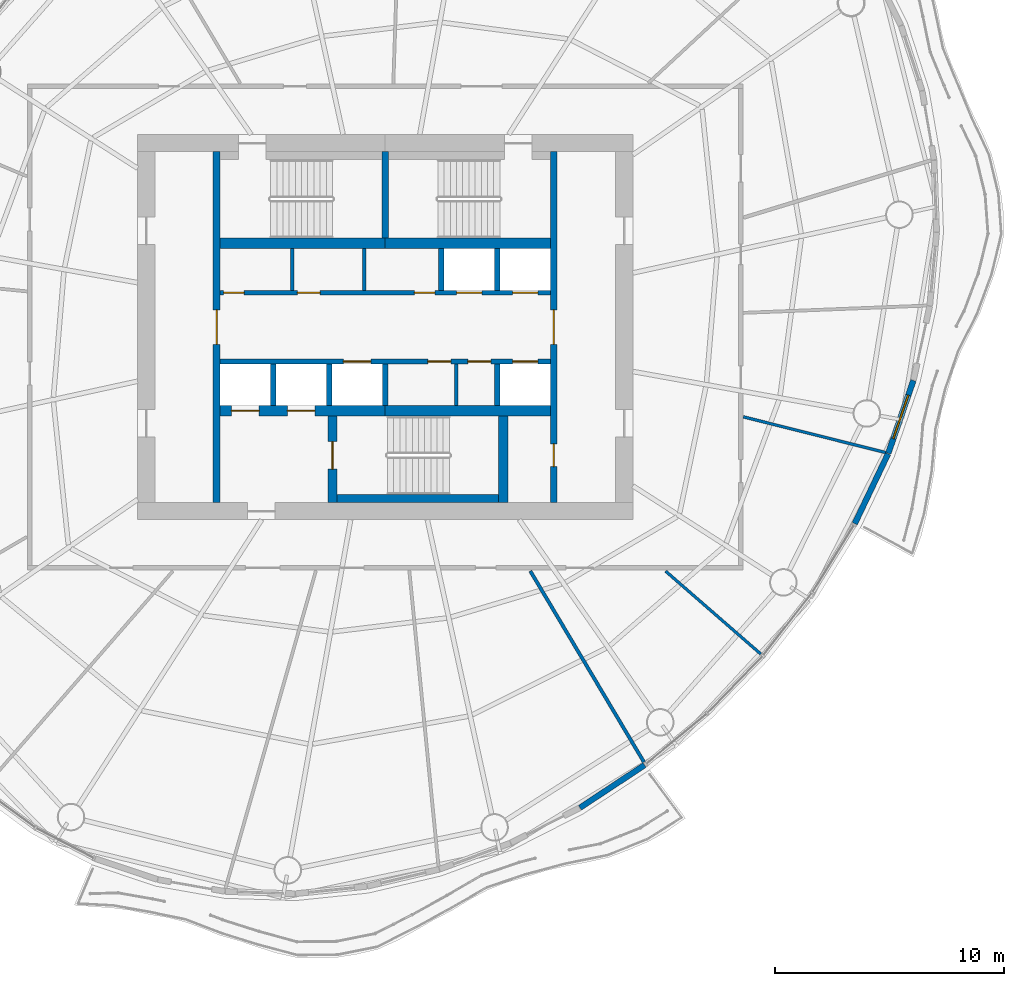
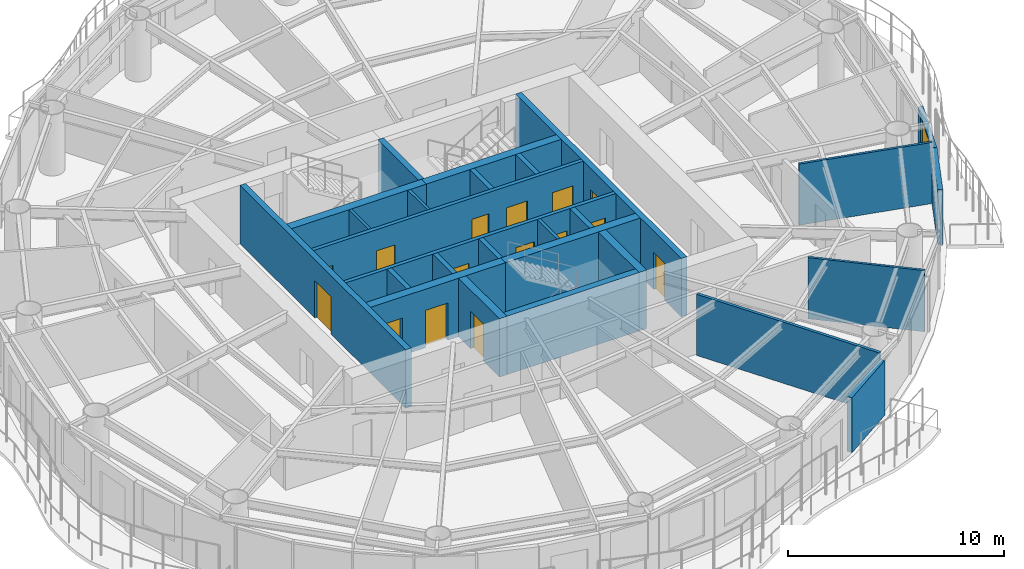
# One storey, part 9 of 14: 27 walls, 15 doors, 1 window, 16 openings.
"""IFC4 building model written with IfcOpenShell, lengths in metres."""

from ifc_helpers import new_model, si_unit, direction, frame, frame_2d, origin, place, context, subcontext, project, spatial, rectangle, extrude, material, layer, layer_set, type_object, element, fill, save


model = new_model("IFC4")

# Units and contexts
model_context = context("Model", 3, precision=1e-05, world=origin(), true_north=direction((0.0, 1.0)))
body_context = subcontext(model_context, "Body", "Model", "MODEL_VIEW")
ifc_project = project(units=[si_unit("LENGTHUNIT", "METRE"), si_unit("AREAUNIT", "SQUARE_METRE"), si_unit("VOLUMEUNIT", "CUBIC_METRE"), si_unit("PLANEANGLEUNIT", "RADIAN"), si_unit("MASSUNIT", "GRAM", prefix="KILO")], contexts=[model_context])

# Site, building, storey
site_placement = place(None, origin())
site = spatial("IfcSite", under=ifc_project, at=site_placement, CompositionType="ELEMENT")
building_placement = place(site_placement, origin())
building = spatial("IfcBuilding", under=site, at=building_placement, Name="Vermilion Reach Broadcast Tower", CompositionType="ELEMENT")
storey_placement = place(building_placement, frame((0.0, 0.0, 228.10009765625)))
storey = spatial("IfcBuildingStorey", under=building, at=storey_placement, Name="L56", CompositionType="ELEMENT", Elevation=228.10009765625)

# Wall, opening, door
ifc_material_1 = material(Name="Concrete C60", Category="concrete")
ifc_layer_1 = layer(ifc_material_1, 0.300048828125)
ifc_layer_set_1 = layer_set([ifc_layer_1], Name="Core inner wall 300 mm Concrete C60")
wall_type_1 = type_object("IfcWallType", Name="Core inner wall 300 mm Concrete C60", PredefinedType="SHEAR", material=ifc_layer_set_1)
wall_1_placement = place(storey_placement, frame((-13.35009765625, 7.64990234375, 0.0), z_axis=(0.0, 0.0, 1.0), x_axis=(0.0, -1.0, 0.0)))
wall_1 = element("IfcWall", 1, at=wall_1_placement, inside=storey, type_object=wall_type_1, Name="L56 core wall ewW", PredefinedType="SHEAR", context=body_context, shape_type="SweptSolid", body=[
    extrude(rectangle(XDim=15.2998046875, YDim=0.300048828125, at=frame_2d((7.64990234375, 0.0))), origin(), (0.0, 0.0, 1.0), 3.2998046875),
])
opening_1_placement = place(wall_1_placement, frame((6.89990234375, 0.0, 0.0)))
opening_1 = element("IfcOpeningElement", 2, at=opening_1_placement, cuts=wall_1, Name="Opening D04", PredefinedType="OPENING", context=body_context, shape_type="SweptSolid", body=[
    extrude(rectangle(XDim=1.5, YDim=2.10009765625, at=frame_2d((0.75, 1.050048828125))), frame((0.0, 0.159912109375, 0.0), z_axis=(0.0, -1.0, 0.0), x_axis=(1.0, 0.0, 0.0)), (0.0, 0.0, 1.0), 0.320068359375),
])
ifc_material_2 = material(Name="Painted steel fire door", Category="steel")
door_type_1 = type_object("IfcDoorType", Name="Lift lobby door 1500 x 2100", OperationType="DOUBLE_DOOR_SINGLE_SWING", PredefinedType="NOTDEFINED", material=ifc_material_2)
door_1_placement = place(opening_1_placement, origin())
door_1 = element("IfcDoor", 3, at=door_1_placement, inside=storey, type_object=door_type_1, Name="L56 band door BW", OperationType="DOUBLE_DOOR_SINGLE_SWING", OverallHeight=2.10009765625, OverallWidth=1.5, PredefinedType="NOTDEFINED", context=body_context, shape_type="SweptSolid", body=[
    extrude(rectangle(XDim=1.5, YDim=2.10009765625, at=frame_2d((0.75, 1.050048828125))), frame((0.0, 0.02490234375, 0.0), z_axis=(0.0, -1.0, 0.0), x_axis=(1.0, 0.0, 0.0)), (0.0, 0.0, 1.0), 0.050048828125),
])
fill(opening_1, door_1)

# Wall, openings, doors
wall_2_placement = place(storey_placement, frame((1.35009765625, -7.64990234375, 0.0), z_axis=(0.0, 0.0, 1.0), x_axis=(0.0, 1.0, 0.0)))
wall_2 = element("IfcWall", 4, at=wall_2_placement, inside=storey, type_object=wall_type_1, Name="L56 core wall ewE", PredefinedType="SHEAR", context=body_context, shape_type="SweptSolid", body=[
    extrude(rectangle(XDim=15.2998046875, YDim=0.300048828125, at=frame_2d((7.64990234375, 0.0))), origin(), (0.0, 0.0, 1.0), 3.2998046875),
])
opening_2_placement = place(wall_2_placement, frame((1.56005859375, 0.0, 0.0)))
opening_2 = element("IfcOpeningElement", 5, at=opening_2_placement, cuts=wall_2, Name="Opening D05", PredefinedType="OPENING", context=body_context, shape_type="SweptSolid", body=[
    extrude(rectangle(XDim=1.0, YDim=2.10009765625, at=frame_2d((0.5, 1.050048828125))), frame((0.0, 0.159912109375, 0.0), z_axis=(0.0, -1.0, 0.0), x_axis=(1.0, 0.0, 0.0)), (0.0, 0.0, 1.0), 0.320068359375),
])
opening_3_placement = place(wall_2_placement, frame((6.89990234375, 0.0, 0.0)))
opening_3 = element("IfcOpeningElement", 6, at=opening_3_placement, cuts=wall_2, Name="Opening D04", PredefinedType="OPENING", context=body_context, shape_type="SweptSolid", body=[
    extrude(rectangle(XDim=1.5, YDim=2.10009765625, at=frame_2d((0.75, 1.050048828125))), frame((0.0, 0.159912109375, 0.0), z_axis=(0.0, -1.0, 0.0), x_axis=(1.0, 0.0, 0.0)), (0.0, 0.0, 1.0), 0.320068359375),
])
door_2_placement = place(opening_3_placement, origin())
door_2 = element("IfcDoor", 7, at=door_2_placement, inside=storey, type_object=door_type_1, Name="L56 band door BE", OperationType="DOUBLE_DOOR_SINGLE_SWING", OverallHeight=2.10009765625, OverallWidth=1.5, PredefinedType="NOTDEFINED", context=body_context, shape_type="SweptSolid", body=[
    extrude(rectangle(XDim=1.5, YDim=2.10009765625, at=frame_2d((0.75, 1.050048828125))), frame((0.0, 0.02490234375, 0.0), z_axis=(0.0, -1.0, 0.0), x_axis=(1.0, 0.0, 0.0)), (0.0, 0.0, 1.0), 0.050048828125),
])
fill(opening_3, door_2)
ifc_material_3 = material(Name="Timber door", Category="wood")
door_type_2 = type_object("IfcDoorType", Name="Room door 1000 x 2100", OperationType="NOTDEFINED", PredefinedType="NOTDEFINED", material=ifc_material_3)
door_3_placement = place(opening_2_placement, origin())
door_3 = element("IfcDoor", 8, at=door_3_placement, inside=storey, type_object=door_type_2, Name="L56 door SER", OperationType="SINGLE_SWING_LEFT", OverallHeight=2.10009765625, OverallWidth=1.0, PredefinedType="NOTDEFINED", context=body_context, shape_type="SweptSolid", body=[
    extrude(rectangle(XDim=1.0, YDim=2.10009765625, at=frame_2d((0.5, 1.050048828125))), frame((0.0, 0.02490234375, 0.0), z_axis=(0.0, -1.0, 0.0), x_axis=(1.0, 0.0, 0.0)), (0.0, 0.0, 1.0), 0.050048828125),
])
fill(opening_2, door_3)

# Wall
wall_3_placement = place(storey_placement, frame((-6.0, 3.8798828125, 0.0), z_axis=(0.0, 0.0, 1.0), x_axis=(0.0, 1.0, 0.0)))
element("IfcWall", 9, at=wall_3_placement, inside=storey, type_object=wall_type_1, Name="L56 core wall wc", PredefinedType="SHEAR", context=body_context, shape_type="SweptSolid", body=[
    extrude(rectangle(XDim=3.77001953125, YDim=0.300048828125, at=frame_2d((1.885009765625, 0.0))), origin(), (0.0, 0.0, 1.0), 3.2998046875),
])

# Wall, opening, door
ifc_material_4 = material(Name="Concrete C60", Category="concrete")
ifc_layer_2 = layer(ifc_material_4, 0.39990234375)
ifc_layer_set_2 = layer_set([ifc_layer_2], Name="Core inner wall 400 mm Concrete C60")
wall_type_2 = type_object("IfcWallType", Name="Core inner wall 400 mm Concrete C60", PredefinedType="SHEAR", material=ifc_layer_set_2)
wall_4_placement = place(storey_placement, frame((-8.300048828125, -3.8798828125, 0.0), z_axis=(0.0, 0.0, 1.0), x_axis=(0.0, -1.0, 0.0)))
wall_4 = element("IfcWall", 10, at=wall_4_placement, inside=storey, type_object=wall_type_2, Name="L56 core wall wa", PredefinedType="SHEAR", context=body_context, shape_type="SweptSolid", body=[
    extrude(rectangle(XDim=3.77001953125, YDim=0.39990234375, at=frame_2d((1.885009765625, 0.0))), origin(), (0.0, 0.0, 1.0), 3.2998046875),
])
opening_4_placement = place(wall_4_placement, frame((1.110107421875, 0.0, 0.0)))
opening_4 = element("IfcOpeningElement", 11, at=opening_4_placement, cuts=wall_4, Name="Opening D01", PredefinedType="OPENING", context=body_context, shape_type="SweptSolid", body=[
    extrude(rectangle(XDim=1.199951171875, YDim=2.10009765625, at=frame_2d((0.60009765625, 1.050048828125))), frame((0.0, 0.2099609375, 0.0), z_axis=(0.0, -1.0, 0.0), x_axis=(1.0, 0.0, 0.0)), (0.0, 0.0, 1.0), 0.419921875),
])
ifc_material_5 = material(Name="Painted steel fire door", Category="steel")
door_type_3 = type_object("IfcDoorType", Name="Stair door 1200 x 2100", OperationType="DOUBLE_DOOR_SINGLE_SWING", PredefinedType="NOTDEFINED", material=ifc_material_5)
door_4_placement = place(opening_4_placement, origin())
door_4 = element("IfcDoor", 12, at=door_4_placement, inside=storey, type_object=door_type_3, Name="L56 stair door ST3", OperationType="DOUBLE_DOOR_SINGLE_SWING", OverallHeight=2.10009765625, OverallWidth=1.199951171875, PredefinedType="NOTDEFINED", context=body_context, shape_type="SweptSolid", body=[
    extrude(rectangle(XDim=1.199951171875, YDim=2.10009765625, at=frame_2d((0.60009765625, 1.050048828125))), frame((0.0, 0.02490234375, 0.0), z_axis=(0.0, -1.0, 0.0), x_axis=(1.0, 0.0, 0.0)), (0.0, 0.0, 1.0), 0.050048828125),
])
fill(opening_4, door_4)

# Walls
wall_5_placement = place(storey_placement, frame((-0.85009765625, -3.8798828125, 0.0), z_axis=(0.0, 0.0, 1.0), x_axis=(0.0, -1.0, 0.0)))
element("IfcWall", 13, at=wall_5_placement, inside=storey, type_object=wall_type_2, Name="L56 core wall wb", PredefinedType="SHEAR", context=body_context, shape_type="SweptSolid", body=[
    extrude(rectangle(XDim=3.77001953125, YDim=0.39990234375, at=frame_2d((1.885009765625, 0.0))), origin(), (0.0, 0.0, 1.0), 3.2998046875),
])
ifc_material_6 = material(Name="Concrete C60", Category="concrete")
ifc_layer_3 = layer(ifc_material_6, 0.449951171875)
ifc_layer_set_3 = layer_set([ifc_layer_3], Name="Core inner wall 450 mm Concrete C60")
wall_type_3 = type_object("IfcWallType", Name="Core inner wall 450 mm Concrete C60", PredefinedType="SHEAR", material=ifc_layer_set_3)
for number, where, z_axis, x_axis, name in (
    (14, (-13.199951171875, 3.655029296875, 0.0), (0.0, 0.0, 1.0), (1.0, 0.0, 0.0), "L56 core wall winW"),
    (15, (-6.0, 3.655029296875, 0.0), (0.0, 0.0, 1.0), (1.0, 0.0, 0.0), "L56 core wall winE"),
):
    element("IfcWall", number, at=place(storey_placement, frame(where, z_axis=z_axis, x_axis=x_axis)), inside=storey, type_object=wall_type_3, Name=name, PredefinedType="SHEAR", context=body_context, shape_type="SweptSolid", body=[
        extrude(rectangle(XDim=7.199951171875, YDim=0.449951171875, at=frame_2d((3.60009765625, 0.0))), origin(), (0.0, 0.0, 1.0), 3.2998046875),
    ])

# Wall, openings, doors
wall_6_placement = place(storey_placement, frame((-13.199951171875, -3.655029296875, 0.0), z_axis=(0.0, 0.0, 1.0), x_axis=(1.0, 0.0, 0.0)))
wall_6 = element("IfcWall", 16, at=wall_6_placement, inside=storey, type_object=wall_type_3, Name="L56 core wall wisW", PredefinedType="SHEAR", context=body_context, shape_type="SweptSolid", body=[
    extrude(rectangle(XDim=7.199951171875, YDim=0.449951171875, at=frame_2d((3.60009765625, 0.0))), origin(), (0.0, 0.0, 1.0), 3.2998046875),
])
opening_5_placement = place(wall_6_placement, frame((0.495849609375, 0.0, 0.0)))
opening_5 = element("IfcOpeningElement", 17, at=opening_5_placement, cuts=wall_6, Name="Opening LD1", PredefinedType="OPENING", context=body_context, shape_type="SweptSolid", body=[
    extrude(rectangle(XDim=1.199951171875, YDim=2.10009765625, at=frame_2d((0.60009765625, 1.050048828125))), frame((0.0, 0.23486328125, 0.0), z_axis=(0.0, -1.0, 0.0), x_axis=(1.0, 0.0, 0.0)), (0.0, 0.0, 1.0), 0.469970703125),
])
opening_6_placement = place(wall_6_placement, frame((2.9375, 0.0, 0.0)))
opening_6 = element("IfcOpeningElement", 18, at=opening_6_placement, cuts=wall_6, Name="Opening LD1", PredefinedType="OPENING", context=body_context, shape_type="SweptSolid", body=[
    extrude(rectangle(XDim=1.199951171875, YDim=2.10009765625, at=frame_2d((0.60009765625, 1.050048828125))), frame((0.0, 0.23486328125, 0.0), z_axis=(0.0, -1.0, 0.0), x_axis=(1.0, 0.0, 0.0)), (0.0, 0.0, 1.0), 0.469970703125),
])
ifc_material_7 = material(Name="Stainless steel", Category="steel")
door_type_4 = type_object("IfcDoorType", Name="Landing door 1200 x 2100", OperationType="DOUBLE_DOOR_SLIDING", PredefinedType="NOTDEFINED", material=ifc_material_7)
door_5_placement = place(opening_5_placement, origin())
door_5 = element("IfcDoor", 19, at=door_5_placement, inside=storey, type_object=door_type_4, Name="L56 landing door FF1", OperationType="DOUBLE_DOOR_SLIDING", OverallHeight=2.10009765625, OverallWidth=1.199951171875, PredefinedType="NOTDEFINED", context=body_context, shape_type="SweptSolid", body=[
    extrude(rectangle(XDim=1.199951171875, YDim=2.10009765625, at=frame_2d((0.60009765625, 1.050048828125))), frame((0.0, 0.02490234375, 0.0), z_axis=(0.0, -1.0, 0.0), x_axis=(1.0, 0.0, 0.0)), (0.0, 0.0, 1.0), 0.050048828125),
])
fill(opening_5, door_5)
door_6_placement = place(opening_6_placement, origin())
door_6 = element("IfcDoor", 20, at=door_6_placement, inside=storey, type_object=door_type_4, Name="L56 landing door FF2", OperationType="DOUBLE_DOOR_SLIDING", OverallHeight=2.10009765625, OverallWidth=1.199951171875, PredefinedType="NOTDEFINED", context=body_context, shape_type="SweptSolid", body=[
    extrude(rectangle(XDim=1.199951171875, YDim=2.10009765625, at=frame_2d((0.60009765625, 1.050048828125))), frame((0.0, 0.02490234375, 0.0), z_axis=(0.0, -1.0, 0.0), x_axis=(1.0, 0.0, 0.0)), (0.0, 0.0, 1.0), 0.050048828125),
])
fill(opening_6, door_6)

# Walls
wall_7_placement = place(storey_placement, frame((-6.0, -3.655029296875, 0.0), z_axis=(0.0, 0.0, 1.0), x_axis=(1.0, 0.0, 0.0)))
element("IfcWall", 21, at=wall_7_placement, inside=storey, type_object=wall_type_3, Name="L56 core wall wisE", PredefinedType="SHEAR", context=body_context, shape_type="SweptSolid", body=[
    extrude(rectangle(XDim=7.199951171875, YDim=0.449951171875, at=frame_2d((3.60009765625, 0.0))), origin(), (0.0, 0.0, 1.0), 3.2998046875),
])
ifc_material_8 = material(Name="Masonry block", Category="masonry")
ifc_layer_4 = layer(ifc_material_8, 0.14990234375)
ifc_layer_set_4 = layer_set([ifc_layer_4], Name="Core partition wall 150 mm Masonry block")
wall_type_4 = type_object("IfcWallType", Name="Core partition wall 150 mm Masonry block", PredefinedType="PARTITIONING", material=ifc_layer_set_4)
for number, where, z_axis, x_axis, name in (
    (22, (-10.0595703125, 1.60009765625, 0.0), (0.0, 0.0, 1.0), (0.0, 1.0, 0.0), "L56 core wall prN-4060"),
    (23, (-6.9189453125, 1.60009765625, 0.0), (0.0, 0.0, 1.0), (0.0, 1.0, 0.0), "L56 core wall prN-919"),
    (24, (-2.90966796875, -1.60009765625, 0.0), (0.0, 0.0, 1.0), (0.0, -1.0, 0.0), "L56 core wall prS3090"),
):
    element("IfcWall", number, at=place(storey_placement, frame(where, z_axis=z_axis, x_axis=x_axis)), inside=storey, type_object=wall_type_4, Name=name, PredefinedType="PARTITIONING", context=body_context, shape_type="SweptSolid", body=[
        extrude(rectangle(XDim=1.829833984375, YDim=0.14990234375, at=frame_2d((0.9150390625, 0.0))), origin(), (0.0, 0.0, 1.0), 3.2998046875),
    ])

# Wall, openings, doors
ifc_material_9 = material(Name="Concrete C50", Category="concrete")
ifc_layer_5 = layer(ifc_material_9, 0.199951171875)
ifc_layer_set_5 = layer_set([ifc_layer_5], Name="Core shaft wall 200 mm Concrete C50")
wall_type_5 = type_object("IfcWallType", Name="Core shaft wall 200 mm Concrete C50", PredefinedType="SHEAR", material=ifc_layer_set_5)
wall_8_placement = place(storey_placement, frame((-13.199951171875, 1.5, 0.0), z_axis=(0.0, 0.0, 1.0), x_axis=(1.0, 0.0, 0.0)))
wall_8 = element("IfcWall", 25, at=wall_8_placement, inside=storey, type_object=wall_type_5, Name="L56 core wall fn", PredefinedType="SHEAR", context=body_context, shape_type="SweptSolid", body=[
    extrude(rectangle(XDim=14.39990234375, YDim=0.199951171875, at=frame_2d((7.199951171875, 0.0))), origin(), (0.0, 0.0, 1.0), 3.2998046875),
])
opening_7_placement = place(wall_8_placement, frame((10.3125, 0.0, 0.0)))
opening_7 = element("IfcOpeningElement", 26, at=opening_7_placement, cuts=wall_8, Name="Opening LD2", PredefinedType="OPENING", context=body_context, shape_type="SweptSolid", body=[
    extrude(rectangle(XDim=1.10009765625, YDim=2.10009765625, at=frame_2d((0.550048828125, 1.050048828125))), frame((0.0, 0.10986328125, 0.0), z_axis=(0.0, -1.0, 0.0), x_axis=(1.0, 0.0, 0.0)), (0.0, 0.0, 1.0), 0.219970703125),
])
opening_8_placement = place(wall_8_placement, frame((12.754150390625, 0.0, 0.0)))
opening_8 = element("IfcOpeningElement", 27, at=opening_8_placement, cuts=wall_8, Name="Opening LD2", PredefinedType="OPENING", context=body_context, shape_type="SweptSolid", body=[
    extrude(rectangle(XDim=1.10009765625, YDim=2.10009765625, at=frame_2d((0.550048828125, 1.050048828125))), frame((0.0, 0.10986328125, 0.0), z_axis=(0.0, -1.0, 0.0), x_axis=(1.0, 0.0, 0.0)), (0.0, 0.0, 1.0), 0.219970703125),
])
opening_9_placement = place(wall_8_placement, frame((0.14990234375, 0.0, 0.0)))
opening_9 = element("IfcOpeningElement", 28, at=opening_9_placement, cuts=wall_8, Name="Opening D06", PredefinedType="OPENING", context=body_context, shape_type="SweptSolid", body=[
    extrude(rectangle(XDim=0.89990234375, YDim=2.10009765625, at=frame_2d((0.449951171875, 1.050048828125))), frame((0.0, 0.10986328125, 0.0), z_axis=(0.0, -1.0, 0.0), x_axis=(1.0, 0.0, 0.0)), (0.0, 0.0, 1.0), 0.219970703125),
])
opening_10_placement = place(wall_8_placement, frame((3.365478515625, 0.0, 0.0)))
opening_10 = element("IfcOpeningElement", 29, at=opening_10_placement, cuts=wall_8, Name="Opening D07", PredefinedType="OPENING", context=body_context, shape_type="SweptSolid", body=[
    extrude(rectangle(XDim=1.0, YDim=2.10009765625, at=frame_2d((0.5, 1.050048828125))), frame((0.0, 0.10986328125, 0.0), z_axis=(0.0, -1.0, 0.0), x_axis=(1.0, 0.0, 0.0)), (0.0, 0.0, 1.0), 0.219970703125),
])
opening_11_placement = place(wall_8_placement, frame((8.466552734375, 0.0, 0.0)))
opening_11 = element("IfcOpeningElement", 30, at=opening_11_placement, cuts=wall_8, Name="Opening D06", PredefinedType="OPENING", context=body_context, shape_type="SweptSolid", body=[
    extrude(rectangle(XDim=0.89990234375, YDim=2.10009765625, at=frame_2d((0.449951171875, 1.050048828125))), frame((0.0, 0.10986328125, 0.0), z_axis=(0.0, -1.0, 0.0), x_axis=(1.0, 0.0, 0.0)), (0.0, 0.0, 1.0), 0.219970703125),
])
ifc_material_10 = material(Name="Timber door", Category="wood")
door_type_5 = type_object("IfcDoorType", Name="Accessible WC door 1000 x 2100", OperationType="NOTDEFINED", PredefinedType="NOTDEFINED", material=ifc_material_10)
door_7_placement = place(opening_10_placement, origin())
door_7 = element("IfcDoor", 31, at=door_7_placement, inside=storey, type_object=door_type_5, Name="L56 door Accessible WC", OperationType="SINGLE_SWING_LEFT", OverallHeight=2.10009765625, OverallWidth=1.0, PredefinedType="NOTDEFINED", context=body_context, shape_type="SweptSolid", body=[
    extrude(rectangle(XDim=1.0, YDim=2.10009765625, at=frame_2d((0.5, 1.050048828125))), frame((0.0, 0.02490234375, 0.0), z_axis=(0.0, -1.0, 0.0), x_axis=(1.0, 0.0, 0.0)), (0.0, 0.0, 1.0), 0.050048828125),
])
fill(opening_10, door_7)
ifc_material_11 = material(Name="Stainless steel", Category="steel")
door_type_6 = type_object("IfcDoorType", Name="Landing door 1100 x 2100", OperationType="DOUBLE_DOOR_SLIDING", PredefinedType="NOTDEFINED", material=ifc_material_11)
door_8_placement = place(opening_7_placement, origin())
door_8 = element("IfcDoor", 32, at=door_8_placement, inside=storey, type_object=door_type_6, Name="L56 landing door HR1", OperationType="DOUBLE_DOOR_SLIDING", OverallHeight=2.10009765625, OverallWidth=1.10009765625, PredefinedType="NOTDEFINED", context=body_context, shape_type="SweptSolid", body=[
    extrude(rectangle(XDim=1.10009765625, YDim=2.10009765625, at=frame_2d((0.550048828125, 1.050048828125))), frame((0.0, 0.02490234375, 0.0), z_axis=(0.0, -1.0, 0.0), x_axis=(1.0, 0.0, 0.0)), (0.0, 0.0, 1.0), 0.050048828125),
])
fill(opening_7, door_8)
door_9_placement = place(opening_8_placement, origin())
door_9 = element("IfcDoor", 33, at=door_9_placement, inside=storey, type_object=door_type_6, Name="L56 landing door HR2", OperationType="DOUBLE_DOOR_SLIDING", OverallHeight=2.10009765625, OverallWidth=1.10009765625, PredefinedType="NOTDEFINED", context=body_context, shape_type="SweptSolid", body=[
    extrude(rectangle(XDim=1.10009765625, YDim=2.10009765625, at=frame_2d((0.550048828125, 1.050048828125))), frame((0.0, 0.02490234375, 0.0), z_axis=(0.0, -1.0, 0.0), x_axis=(1.0, 0.0, 0.0)), (0.0, 0.0, 1.0), 0.050048828125),
])
fill(opening_8, door_9)
ifc_material_12 = material(Name="Timber door", Category="wood")
door_type_7 = type_object("IfcDoorType", Name="WC door 900 x 2100", OperationType="NOTDEFINED", PredefinedType="NOTDEFINED", material=ifc_material_12)
door_10_placement = place(opening_9_placement, origin())
door_10 = element("IfcDoor", 34, at=door_10_placement, inside=storey, type_object=door_type_7, Name="L56 door Male WC", OperationType="SINGLE_SWING_LEFT", OverallHeight=2.10009765625, OverallWidth=0.89990234375, PredefinedType="NOTDEFINED", context=body_context, shape_type="SweptSolid", body=[
    extrude(rectangle(XDim=0.89990234375, YDim=2.10009765625, at=frame_2d((0.449951171875, 1.050048828125))), frame((0.0, 0.02490234375, 0.0), z_axis=(0.0, -1.0, 0.0), x_axis=(1.0, 0.0, 0.0)), (0.0, 0.0, 1.0), 0.050048828125),
])
fill(opening_9, door_10)
door_11_placement = place(opening_11_placement, origin())
door_11 = element("IfcDoor", 35, at=door_11_placement, inside=storey, type_object=door_type_7, Name="L56 door Female WC", OperationType="SINGLE_SWING_RIGHT", OverallHeight=2.10009765625, OverallWidth=0.89990234375, PredefinedType="NOTDEFINED", context=body_context, shape_type="SweptSolid", body=[
    extrude(rectangle(XDim=0.89990234375, YDim=2.10009765625, at=frame_2d((0.449951171875, 1.050048828125))), frame((0.0, 0.02490234375, 0.0), z_axis=(0.0, -1.0, 0.0), x_axis=(1.0, 0.0, 0.0)), (0.0, 0.0, 1.0), 0.050048828125),
])
fill(opening_11, door_11)

wall_9_placement = place(storey_placement, frame((1.199951171875, -1.5, 0.0), z_axis=(0.0, 0.0, 1.0), x_axis=(-1.0, 0.0, 0.0)))
wall_9 = element("IfcWall", 36, at=wall_9_placement, inside=storey, type_object=wall_type_5, Name="L56 core wall fs", PredefinedType="SHEAR", context=body_context, shape_type="SweptSolid", body=[
    extrude(rectangle(XDim=14.39990234375, YDim=0.199951171875, at=frame_2d((7.199951171875, 0.0))), origin(), (0.0, 0.0, 1.0), 3.2998046875),
])
opening_12_placement = place(wall_9_placement, frame((7.82080078125, 0.0, 0.0)))
opening_12 = element("IfcOpeningElement", 37, at=opening_12_placement, cuts=wall_9, Name="Opening LD1", PredefinedType="OPENING", context=body_context, shape_type="SweptSolid", body=[
    extrude(rectangle(XDim=1.199951171875, YDim=2.10009765625, at=frame_2d((0.60009765625, 1.050048828125))), frame((0.0, 0.10986328125, 0.0), z_axis=(0.0, -1.0, 0.0), x_axis=(1.0, 0.0, 0.0)), (0.0, 0.0, 1.0), 0.219970703125),
])
opening_13_placement = place(wall_9_placement, frame((0.5458984375, 0.0, 0.0)))
opening_13 = element("IfcOpeningElement", 38, at=opening_13_placement, cuts=wall_9, Name="Opening LD2", PredefinedType="OPENING", context=body_context, shape_type="SweptSolid", body=[
    extrude(rectangle(XDim=1.10009765625, YDim=2.10009765625, at=frame_2d((0.550048828125, 1.050048828125))), frame((0.0, 0.10986328125, 0.0), z_axis=(0.0, -1.0, 0.0), x_axis=(1.0, 0.0, 0.0)), (0.0, 0.0, 1.0), 0.219970703125),
])
opening_14_placement = place(wall_9_placement, frame((4.334716796875, 0.0, 0.0)))
opening_14 = element("IfcOpeningElement", 39, at=opening_14_placement, cuts=wall_9, Name="Opening D10", PredefinedType="OPENING", context=body_context, shape_type="SweptSolid", body=[
    extrude(rectangle(XDim=1.0, YDim=2.10009765625, at=frame_2d((0.5, 1.050048828125))), frame((0.0, 0.10986328125, 0.0), z_axis=(0.0, -1.0, 0.0), x_axis=(1.0, 0.0, 0.0)), (0.0, 0.0, 1.0), 0.219970703125),
])
opening_15_placement = place(wall_9_placement, frame((2.591552734375, 0.0, 0.0)))
opening_15 = element("IfcOpeningElement", 40, at=opening_15_placement, cuts=wall_9, Name="Opening D11", PredefinedType="OPENING", context=body_context, shape_type="SweptSolid", body=[
    extrude(rectangle(XDim=1.0, YDim=2.10009765625, at=frame_2d((0.5, 1.050048828125))), frame((0.0, 0.10986328125, 0.0), z_axis=(0.0, -1.0, 0.0), x_axis=(1.0, 0.0, 0.0)), (0.0, 0.0, 1.0), 0.219970703125),
])
door_12_placement = place(opening_13_placement, origin())
door_12 = element("IfcDoor", 41, at=door_12_placement, inside=storey, type_object=door_type_6, Name="L56 landing door HR3", OperationType="DOUBLE_DOOR_SLIDING", OverallHeight=2.10009765625, OverallWidth=1.10009765625, PredefinedType="NOTDEFINED", context=body_context, shape_type="SweptSolid", body=[
    extrude(rectangle(XDim=1.10009765625, YDim=2.10009765625, at=frame_2d((0.550048828125, 1.050048828125))), frame((0.0, 0.02490234375, 0.0), z_axis=(0.0, -1.0, 0.0), x_axis=(1.0, 0.0, 0.0)), (0.0, 0.0, 1.0), 0.050048828125),
])
fill(opening_13, door_12)
door_13_placement = place(opening_12_placement, origin())
door_13 = element("IfcDoor", 42, at=door_13_placement, inside=storey, type_object=door_type_4, Name="L56 landing door SV1", OperationType="DOUBLE_DOOR_SLIDING", OverallHeight=2.10009765625, OverallWidth=1.199951171875, PredefinedType="NOTDEFINED", context=body_context, shape_type="SweptSolid", body=[
    extrude(rectangle(XDim=1.199951171875, YDim=2.10009765625, at=frame_2d((0.60009765625, 1.050048828125))), frame((0.0, 0.02490234375, 0.0), z_axis=(0.0, -1.0, 0.0), x_axis=(1.0, 0.0, 0.0)), (0.0, 0.0, 1.0), 0.050048828125),
])
fill(opening_12, door_13)
ifc_material_13 = material(Name="Painted steel fire door", Category="steel")
door_type_8 = type_object("IfcDoorType", Name="Services room door 1000 x 2100", OperationType="NOTDEFINED", PredefinedType="NOTDEFINED", material=ifc_material_13)
door_14_placement = place(opening_15_placement, origin())
door_14 = element("IfcDoor", 43, at=door_14_placement, inside=storey, type_object=door_type_8, Name="L56 door Electrical room", OperationType="SINGLE_SWING_LEFT", OverallHeight=2.10009765625, OverallWidth=1.0, PredefinedType="NOTDEFINED", context=body_context, shape_type="SweptSolid", body=[
    extrude(rectangle(XDim=1.0, YDim=2.10009765625, at=frame_2d((0.5, 1.050048828125))), frame((0.0, 0.02490234375, 0.0), z_axis=(0.0, -1.0, 0.0), x_axis=(1.0, 0.0, 0.0)), (0.0, 0.0, 1.0), 0.050048828125),
])
fill(opening_15, door_14)
ifc_material_14 = material(Name="Timber door", Category="wood")
door_type_9 = type_object("IfcDoorType", Name="WC lobby door 1000 x 2100", OperationType="NOTDEFINED", PredefinedType="NOTDEFINED", material=ifc_material_14)
door_15_placement = place(opening_14_placement, origin())
door_15 = element("IfcDoor", 44, at=door_15_placement, inside=storey, type_object=door_type_9, Name="L56 door WC lobby", OperationType="SINGLE_SWING_LEFT", OverallHeight=2.10009765625, OverallWidth=1.0, PredefinedType="NOTDEFINED", context=body_context, shape_type="SweptSolid", body=[
    extrude(rectangle(XDim=1.0, YDim=2.10009765625, at=frame_2d((0.5, 1.050048828125))), frame((0.0, 0.02490234375, 0.0), z_axis=(0.0, -1.0, 0.0), x_axis=(1.0, 0.0, 0.0)), (0.0, 0.0, 1.0), 0.050048828125),
])
fill(opening_14, door_15)

# Walls
ifc_material_15 = material(Name="Concrete C50", Category="concrete")
ifc_layer_6 = layer(ifc_material_15, 0.25)
ifc_layer_set_6 = layer_set([ifc_layer_6], Name="Core shaft wall 250 mm Concrete C50")
wall_type_6 = type_object("IfcWallType", Name="Core shaft wall 250 mm Concrete C50", PredefinedType="SHEAR", material=ifc_layer_set_6)
for number, where, z_axis, x_axis, name in (
    (45, (-3.558349609375, 1.60009765625, 0.0), (0.0, 0.0, 1.0), (0.0, 1.0, 0.0), "L56 core wall psN3"),
    (46, (-1.11669921875, 1.60009765625, 0.0), (0.0, 0.0, 1.0), (0.0, 1.0, 0.0), "L56 core wall psN4"),
    (47, (-10.88330078125, -1.60009765625, 0.0), (0.0, 0.0, 1.0), (0.0, -1.0, 0.0), "L56 core wall psS0"),
    (48, (-8.441650390625, -1.60009765625, 0.0), (0.0, 0.0, 1.0), (0.0, -1.0, 0.0), "L56 core wall psS1"),
    (49, (-6.0, -1.60009765625, 0.0), (0.0, 0.0, 1.0), (0.0, -1.0, 0.0), "L56 core wall psS2"),
    (50, (-1.11669921875, -1.60009765625, 0.0), (0.0, 0.0, 1.0), (0.0, -1.0, 0.0), "L56 core wall psS4"),
):
    element("IfcWall", number, at=place(storey_placement, frame(where, z_axis=z_axis, x_axis=x_axis)), inside=storey, type_object=wall_type_6, Name=name, PredefinedType="SHEAR", context=body_context, shape_type="SweptSolid", body=[
        extrude(rectangle(XDim=1.829833984375, YDim=0.25, at=frame_2d((0.9150390625, 0.0))), origin(), (0.0, 0.0, 1.0), 3.2998046875),
    ])
ifc_material_16 = material(Name="Concrete C60", Category="concrete")
ifc_layer_7 = layer(ifc_material_16, 0.35009765625)
ifc_layer_set_7 = layer_set([ifc_layer_7], Name="Core stair wall 350 mm Concrete C60")
wall_type_7 = type_object("IfcWallType", Name="Core stair wall 350 mm Concrete C60", PredefinedType="SHEAR", material=ifc_layer_set_7)
wall_10_placement = place(storey_placement, frame((-8.10009765625, -7.47509765625, 0.0), z_axis=(0.0, 0.0, 1.0), x_axis=(1.0, 0.0, 0.0)))
element("IfcWall", 51, at=wall_10_placement, inside=storey, type_object=wall_type_7, Name="L56 core wall l3", PredefinedType="SHEAR", context=body_context, shape_type="SweptSolid", body=[
    extrude(rectangle(XDim=7.050048828125, YDim=0.35009765625, at=frame_2d((3.52490234375, 0.0))), origin(), (0.0, 0.0, 1.0), 3.2998046875),
])
ifc_material_17 = material(Name="Fire-rated plasterboard on steel stud", Category="steel")
ifc_layer_8 = layer(ifc_material_17, 0.125)
ifc_layer_set_8 = layer_set([ifc_layer_8], Name="Partition 125 fire-rated stud")
wall_type_8 = type_object("IfcWallType", Name="Partition 125 fire-rated stud", PredefinedType="PARTITIONING", material=ifc_layer_set_8)
wall_11_placement = place(storey_placement, frame((10.375244140625, -14.2548828125, 0.0), z_axis=(0.0, 0.0, 1.0), x_axis=(-0.754250521581, 0.656586742704, 0.0)))
element("IfcWall", 52, at=wall_11_placement, inside=storey, type_object=wall_type_8, Name="Partition 56.10", PredefinedType="PARTITIONING", context=body_context, shape_type="SweptSolid", body=[
    extrude(rectangle(XDim=5.49462890625, YDim=0.125, at=frame_2d((2.747314453125, 0.0))), origin(), (0.0, 0.0, 1.0), 3.449951171875),
])
wall_12_placement = place(storey_placement, frame((15.81884765625, -5.46923828125, 0.0), z_axis=(0.0, 0.0, 1.0), x_axis=(-0.969994115185, 0.243128395105, 0.0)))
element("IfcWall", 53, at=wall_12_placement, inside=storey, type_object=wall_type_8, Name="Partition 56.11", PredefinedType="PARTITIONING", context=body_context, shape_type="SweptSolid", body=[
    extrude(rectangle(XDim=6.3955078125, YDim=0.125, at=frame_2d((3.19775390625, 0.0))), origin(), (0.0, 0.0, 1.0), 3.449951171875),
])
ifc_material_18 = material(Name="Lightweight concrete block, plastered", Category="concrete")
ifc_layer_9 = layer(ifc_material_18, 0.14990234375)
ifc_layer_set_9 = layer_set([ifc_layer_9], Name="Partition 150 lightweight block")
wall_type_9 = type_object("IfcWallType", Name="Partition 150 lightweight block", PredefinedType="PARTITIONING", material=ifc_layer_set_9)
wall_13_placement = place(storey_placement, frame((5.283203125, -18.970458984375, 0.0), z_axis=(0.0, 0.0, 1.0), x_axis=(-0.511199592551, 0.859462027419, 0.0)))
element("IfcWall", 54, at=wall_13_placement, inside=storey, type_object=wall_type_9, Name="Partition 56.09", PredefinedType="PARTITIONING", context=body_context, shape_type="SweptSolid", body=[
    extrude(rectangle(XDim=9.694580078125, YDim=0.14990234375, at=frame_2d((4.84716796875, 0.0))), origin(), (0.0, 0.0, 1.0), 3.449951171875),
])
ifc_material_19 = material(Name="Terracotta rainscreen cladding", Category="masonry")
ifc_layer_10 = layer(ifc_material_19, 0.25)
ifc_layer_set_10 = layer_set([ifc_layer_10], Name="Terracotta rainscreen wall 250")
wall_type_10 = type_object("IfcWallType", Name="Terracotta rainscreen wall 250", PredefinedType="SOLIDWALL", material=ifc_layer_set_10)
for number, where, z_axis, x_axis, name in (
    (55, (2.495849609375, -20.959228515625, 0.0), (0.0, 0.0, 1.0), (0.834690576906, 0.550719203247, 0.0), "External wall L56 33"),
    (56, (14.477783203125, -8.57177734375, 0.0), (0.0, 0.0, 1.0), (0.430461639922, 0.902608872411, 0.0), "External wall L56 38"),
):
    element("IfcWall", number, at=place(storey_placement, frame(where, z_axis=z_axis, x_axis=x_axis)), inside=storey, type_object=wall_type_10, Name=name, PredefinedType="SOLIDWALL", context=body_context, shape_type="SweptSolid", body=[
        extrude(rectangle(XDim=3.37353515625, YDim=0.25, at=frame_2d((1.686767578125, 0.0))), origin(), (0.0, 0.0, 1.0), 3.099853515625),
    ])

# Wall, opening, window
wall_14_placement = place(storey_placement, frame((15.938232421875, -5.50634765625, 0.0), z_axis=(0.0, 0.0, 1.0), x_axis=(0.326124986631, 0.945326659465, 0.0)))
wall_14 = element("IfcWall", 57, at=wall_14_placement, inside=storey, type_object=wall_type_10, Name="External wall L56 39", PredefinedType="SOLIDWALL", context=body_context, shape_type="SweptSolid", body=[
    extrude(rectangle(XDim=3.361328125, YDim=0.25, at=frame_2d((1.6806640625, 0.0))), origin(), (0.0, 0.0, 1.0), 3.099853515625),
])
opening_16_placement = place(wall_14_placement, frame((0.6806640625, 0.0, 0.89990234375)))
opening_16 = element("IfcOpeningElement", 58, at=opening_16_placement, cuts=wall_14, Name="Opening W03", PredefinedType="OPENING", context=body_context, shape_type="SweptSolid", body=[
    extrude(rectangle(XDim=2.0, YDim=2.10009765625, at=frame_2d((1.0, 1.050048828125))), frame((0.0, 0.135009765625, 0.0), z_axis=(0.0, -1.0, 0.0), x_axis=(1.0, 0.0, 0.0)), (0.0, 0.0, 1.0), 0.27001953125),
])
ifc_material_20 = material(Name="Low-e laminated clear glass in aluminium frame", Category="aluminium")
window_type = type_object("IfcWindowType", Name="Punched window 2000 x 2100 sill 900", PartitioningType="SINGLE_PANEL", PredefinedType="WINDOW", material=ifc_material_20)
window_placement = place(opening_16_placement, origin())
window = element("IfcWindow", 59, at=window_placement, inside=storey, type_object=window_type, Name="Window L56 39", OverallHeight=2.10009765625, OverallWidth=2.0, PartitioningType="SINGLE_PANEL", PredefinedType="WINDOW", context=body_context, shape_type="SweptSolid", body=[
    extrude(rectangle(XDim=2.0, YDim=2.10009765625, at=frame_2d((1.0, 1.050048828125))), frame((0.0, 0.030029296875, 0.0), z_axis=(0.0, -1.0, 0.0), x_axis=(1.0, 0.0, 0.0)), (0.0, 0.0, 1.0), 0.06005859375),
])
fill(opening_16, window)

save(model, "model.ifc")
